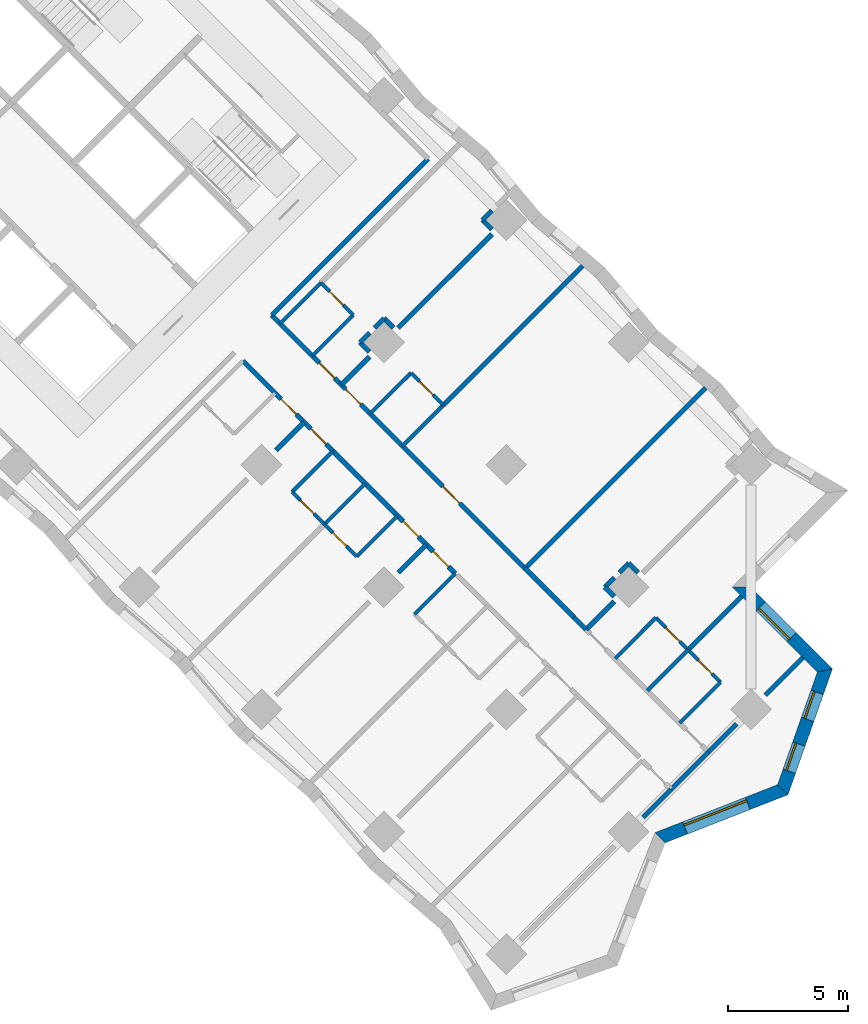
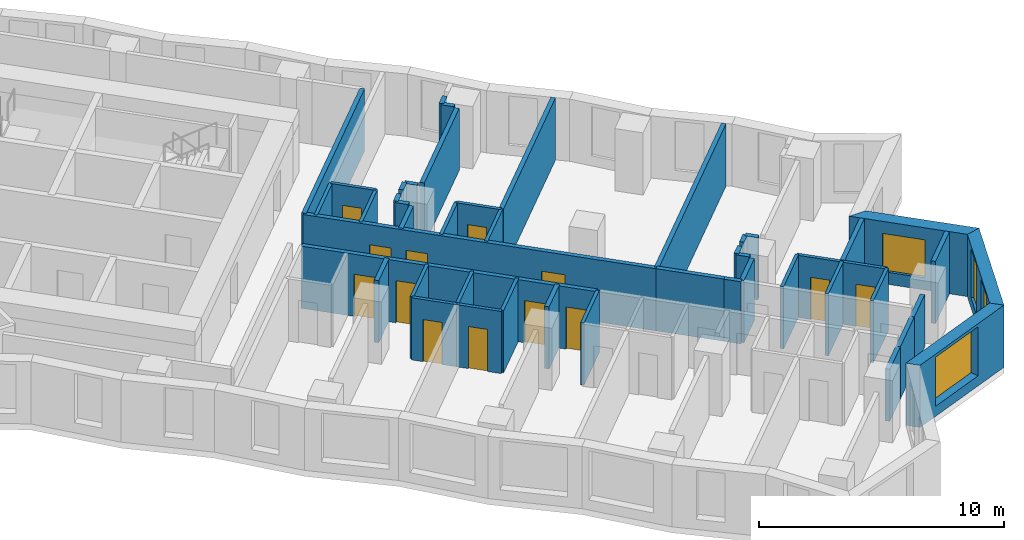
# One storey, part 9 of 15: 47 walls, 13 doors, 4 windows, 17 openings.
"""IFC4 building model written with IfcOpenShell, lengths in metres."""

from ifc_helpers import new_model, si_unit, direction, frame, frame_2d, origin, place, context, subcontext, project, spatial, polyline, rectangle, outline, extrude, material, layer, layer_set, type_object, element, fill, save


model = new_model("IFC4")

# Units and contexts
model_context = context("Model", 3, precision=1e-05, world=origin(), true_north=direction((0.0, 1.0)))
body_context = subcontext(model_context, "Body", "Model", "MODEL_VIEW")
ifc_project = project(units=[si_unit("LENGTHUNIT", "METRE"), si_unit("AREAUNIT", "SQUARE_METRE"), si_unit("VOLUMEUNIT", "CUBIC_METRE"), si_unit("PLANEANGLEUNIT", "RADIAN"), si_unit("MASSUNIT", "GRAM", prefix="KILO")], contexts=[model_context])

# Site, building, storey
site_placement = place(None, origin())
site = spatial("IfcSite", under=ifc_project, at=site_placement, CompositionType="ELEMENT")
building_placement = place(site_placement, origin())
building = spatial("IfcBuilding", under=site, at=building_placement, Name="Windrow Commons", CompositionType="ELEMENT")
storey_placement = place(building_placement, frame((0.0, 0.0, 27.0)))
storey = spatial("IfcBuildingStorey", under=building, at=storey_placement, Name="L06", CompositionType="ELEMENT", Elevation=27.0)

# Wall, opening, window
ifc_material_1 = material(Name="Brick masonry, red clay brick", Category="masonry")
ifc_layer_1 = layer(ifc_material_1, 0.55)
ifc_layer_set_1 = layer_set([ifc_layer_1], Name="Brick facade wall 550")
wall_type_1 = type_object("IfcWallType", Name="Brick facade wall 550", PredefinedType="SOLIDWALL", material=ifc_layer_set_1)
wall_1_placement = place(storey_placement, frame((111.055, 20.841, 0.0), z_axis=(0.0, 0.0, 1.0), x_axis=(0.9313442446, 0.3641399428, 0.0)))
wall_1 = element("IfcWall", 1, at=wall_1_placement, inside=storey, type_object=wall_type_1, Name="Brick facade wall L06 3", PredefinedType="SOLIDWALL", context=body_context, shape_type="SweptSolid", body=[
    extrude(outline(polyline([(0.1204, -0.275), (5.6059, -0.275), (5.3542, 0.275), (-0.1204, 0.275), (0.1204, -0.275)])), origin(), (0.0, 0.0, 1.0), 3.1),
])
opening_1_placement = place(wall_1_placement, frame((1.1179, 0.0, 0.5)))
opening_1 = element("IfcOpeningElement", 2, at=opening_1_placement, cuts=wall_1, Name="Opening W1T", PredefinedType="OPENING", context=body_context, shape_type="SweptSolid", body=[
    extrude(rectangle(XDim=2.8, YDim=2.45, at=frame_2d((1.4, 1.225))), frame((0.0, 0.285, 0.0), z_axis=(0.0, -1.0, 0.0), x_axis=(1.0, 0.0, 0.0)), (0.0, 0.0, 1.0), 0.57),
])
ifc_material_2 = material(Name="Clear float glass in anodised aluminium frame", Category="aluminium")
window_type_1 = type_object("IfcWindowType", Name="Window W1T bedroom 2800x2450", PartitioningType="SINGLE_PANEL", PredefinedType="WINDOW", material=ifc_material_2)
window_1_placement = place(opening_1_placement, origin())
window_1 = element("IfcWindow", 3, at=window_1_placement, inside=storey, type_object=window_type_1, Name="Window L06 3.1", OverallHeight=2.45, OverallWidth=2.8, PartitioningType="SINGLE_PANEL", PredefinedType="WINDOW", context=body_context, shape_type="SweptSolid", body=[
    extrude(rectangle(XDim=2.8, YDim=2.45, at=frame_2d((1.4, 1.225))), frame((0.0, 0.155, 0.0), z_axis=(0.0, -1.0, 0.0), x_axis=(1.0, 0.0, 0.0)), (0.0, 0.0, 1.0), 0.06),
])
fill(opening_1, window_1)

# Wall, openings, windows
wall_2_placement = place(storey_placement, frame((116.1588, 22.8365, 0.0), z_axis=(0.0, 0.0, 1.0), x_axis=(0.3333124239, 0.9428164339, 0.0)))
wall_2 = element("IfcWall", 4, at=wall_2_placement, inside=storey, type_object=wall_type_1, Name="Brick facade wall L06 4", PredefinedType="SOLIDWALL", context=body_context, shape_type="SweptSolid", body=[
    extrude(outline(polyline([(-0.1258, -0.275), (5.4429, -0.275), (5.0961, 0.275), (0.1258, 0.275), (-0.1258, -0.275)])), origin(), (0.0, 0.0, 1.0), 3.1),
])
opening_2_placement = place(wall_2_placement, frame((0.8163, 0.0, 0.5)))
opening_2 = element("IfcOpeningElement", 5, at=opening_2_placement, cuts=wall_2, Name="Opening W7D", PredefinedType="OPENING", context=body_context, shape_type="SweptSolid", body=[
    extrude(rectangle(XDim=1.2, YDim=2.45, at=frame_2d((0.6, 1.225))), frame((0.0, 0.285, 0.0), z_axis=(0.0, -1.0, 0.0), x_axis=(1.0, 0.0, 0.0)), (0.0, 0.0, 1.0), 0.57),
])
opening_3_placement = place(wall_2_placement, frame((3.1014, 0.0, 0.5)))
opening_3 = element("IfcOpeningElement", 6, at=opening_3_placement, cuts=wall_2, Name="Opening W7D", PredefinedType="OPENING", context=body_context, shape_type="SweptSolid", body=[
    extrude(rectangle(XDim=1.2, YDim=2.45, at=frame_2d((0.6, 1.225))), frame((0.0, 0.285, 0.0), z_axis=(0.0, -1.0, 0.0), x_axis=(1.0, 0.0, 0.0)), (0.0, 0.0, 1.0), 0.57),
])
ifc_material_3 = material(Name="Clear float glass in anodised aluminium frame", Category="aluminium")
window_type_2 = type_object("IfcWindowType", Name="Window W7 notch 1200x2450", PartitioningType="SINGLE_PANEL", PredefinedType="WINDOW", material=ifc_material_3)
window_2_placement = place(opening_2_placement, origin())
window_2 = element("IfcWindow", 7, at=window_2_placement, inside=storey, type_object=window_type_2, Name="Window L06 4.1", OverallHeight=2.45, OverallWidth=1.2, PartitioningType="SINGLE_PANEL", PredefinedType="WINDOW", context=body_context, shape_type="SweptSolid", body=[
    extrude(rectangle(XDim=1.2, YDim=2.45, at=frame_2d((0.6, 1.225))), frame((0.0, 0.155, 0.0), z_axis=(0.0, -1.0, 0.0), x_axis=(1.0, 0.0, 0.0)), (0.0, 0.0, 1.0), 0.06),
])
fill(opening_2, window_2)
window_3_placement = place(opening_3_placement, origin())
window_3 = element("IfcWindow", 8, at=window_3_placement, inside=storey, type_object=window_type_2, Name="Window L06 4.2", OverallHeight=2.45, OverallWidth=1.2, PartitioningType="SINGLE_PANEL", PredefinedType="WINDOW", context=body_context, shape_type="SweptSolid", body=[
    extrude(rectangle(XDim=1.2, YDim=2.45, at=frame_2d((0.6, 1.225))), frame((0.0, 0.155, 0.0), z_axis=(0.0, -1.0, 0.0), x_axis=(1.0, 0.0, 0.0)), (0.0, 0.0, 1.0), 0.06),
])
fill(opening_3, window_3)

# Wall, opening, window
wall_3_placement = place(storey_placement, frame((117.9152, 27.8047, 0.0), z_axis=(0.0, 0.0, 1.0), x_axis=(-0.7071067812, 0.7071067812, 0.0)))
wall_3 = element("IfcWall", 9, at=wall_3_placement, inside=storey, type_object=wall_type_1, Name="Brick facade wall L06 5", PredefinedType="SOLIDWALL", context=body_context, shape_type="SweptSolid", body=[
    extrude(outline(polyline([(-0.1734, -0.275), (4.6266, -0.275), (5.1766, 0.275), (0.1734, 0.275), (-0.1734, -0.275)])), origin(), (0.0, 0.0, 1.0), 3.1),
])
opening_4_placement = place(wall_3_placement, frame((1.9641, 0.0, 0.6)))
opening_4 = element("IfcOpeningElement", 10, at=opening_4_placement, cuts=wall_3, Name="Opening W1L", PredefinedType="OPENING", context=body_context, shape_type="SweptSolid", body=[
    extrude(rectangle(XDim=1.8, YDim=1.9, at=frame_2d((0.9, 0.95))), frame((0.0, 0.285, 0.0), z_axis=(0.0, -1.0, 0.0), x_axis=(1.0, 0.0, 0.0)), (0.0, 0.0, 1.0), 0.57),
])
ifc_material_4 = material(Name="Clear float glass in anodised aluminium frame", Category="aluminium")
window_type_3 = type_object("IfcWindowType", Name="Window W1L bedroom 1800x1900", PartitioningType="SINGLE_PANEL", PredefinedType="WINDOW", material=ifc_material_4)
window_4_placement = place(opening_4_placement, origin())
window_4 = element("IfcWindow", 11, at=window_4_placement, inside=storey, type_object=window_type_3, Name="Window L06 5.1", OverallHeight=1.9, OverallWidth=1.8, PartitioningType="SINGLE_PANEL", PredefinedType="WINDOW", context=body_context, shape_type="SweptSolid", body=[
    extrude(rectangle(XDim=1.8, YDim=1.9, at=frame_2d((0.9, 0.95))), frame((0.0, 0.155, 0.0), z_axis=(0.0, -1.0, 0.0), x_axis=(1.0, 0.0, 0.0)), (0.0, 0.0, 1.0), 0.06),
])
fill(opening_4, window_4)

# Wall, openings, doors
ifc_material_5 = material(Name="Blockwork partition", Category="masonry")
ifc_layer_2 = layer(ifc_material_5, 0.2)
ifc_layer_set_2 = layer_set([ifc_layer_2], Name="IW-CORRIDOR-200")
wall_type_2 = type_object("IfcWallType", Name="IW-CORRIDOR-200", PredefinedType="PARTITIONING", material=ifc_layer_set_2)
wall_4_placement = place(storey_placement, frame((94.8949, 42.5809, 0.0), z_axis=(0.0, 0.0, 1.0), x_axis=(0.7071067812, -0.7071067812, 0.0)))
wall_4 = element("IfcWall", 12, at=wall_4_placement, inside=storey, type_object=wall_type_2, Name="W-L06-W004", PredefinedType="PARTITIONING", context=body_context, shape_type="SweptSolid", body=[
    extrude(rectangle(XDim=14.9002, YDim=0.2, at=frame_2d((7.4501, 0.0))), origin(), (0.0, 0.0, 1.0), 3.1),
])
opening_5_placement = place(wall_4_placement, frame((2.7996, 0.0, 0.0)))
opening_5 = element("IfcOpeningElement", 13, at=opening_5_placement, cuts=wall_4, Name="Opening D109S", PredefinedType="OPENING", context=body_context, shape_type="SweptSolid", body=[
    extrude(rectangle(XDim=0.9, YDim=2.1, at=frame_2d((0.45, 1.05))), frame((0.0, 0.11, 0.0), z_axis=(0.0, -1.0, 0.0), x_axis=(1.0, 0.0, 0.0)), (0.0, 0.0, 1.0), 0.22),
])
opening_6_placement = place(wall_4_placement, frame((4.3479, 0.0, 0.0)))
opening_6 = element("IfcOpeningElement", 14, at=opening_6_placement, cuts=wall_4, Name="Opening D109S", PredefinedType="OPENING", context=body_context, shape_type="SweptSolid", body=[
    extrude(rectangle(XDim=0.9, YDim=2.1, at=frame_2d((0.45, 1.05))), frame((0.0, 0.11, 0.0), z_axis=(0.0, -1.0, 0.0), x_axis=(1.0, 0.0, 0.0)), (0.0, 0.0, 1.0), 0.22),
])
opening_7_placement = place(wall_4_placement, frame((10.0733, 0.0, 0.0)))
opening_7 = element("IfcOpeningElement", 15, at=opening_7_placement, cuts=wall_4, Name="Opening D310F", PredefinedType="OPENING", context=body_context, shape_type="SweptSolid", body=[
    extrude(rectangle(XDim=1.0, YDim=2.1, at=frame_2d((0.5, 1.05))), frame((0.0, 0.11, 0.0), z_axis=(0.0, -1.0, 0.0), x_axis=(1.0, 0.0, 0.0)), (0.0, 0.0, 1.0), 0.22),
])
ifc_material_6 = material(Name="Timber door leaf", Category="wood")
door_type_1 = type_object("IfcDoorType", Name="DT-AMENITY-1000", OperationType="SINGLE_SWING_LEFT", PredefinedType="DOOR", material=ifc_material_6)
door_1_placement = place(opening_7_placement, origin())
door_1 = element("IfcDoor", 16, at=door_1_placement, inside=storey, type_object=door_type_1, Name="D-L06-D054", OperationType="SINGLE_SWING_RIGHT", OverallHeight=2.1, OverallWidth=1.0, PredefinedType="DOOR", context=body_context, shape_type="SweptSolid", body=[
    extrude(rectangle(XDim=1.0, YDim=2.1, at=frame_2d((0.5, 1.05))), frame((0.0, 0.025, 0.0), z_axis=(0.0, -1.0, 0.0), x_axis=(1.0, 0.0, 0.0)), (0.0, 0.0, 1.0), 0.05),
])
fill(opening_7, door_1)
ifc_material_7 = material(Name="Timber door leaf", Category="wood")
door_type_2 = type_object("IfcDoorType", Name="DT-BEDROOM-900", OperationType="SINGLE_SWING_LEFT", PredefinedType="DOOR", material=ifc_material_7)
door_2_placement = place(opening_5_placement, origin())
door_2 = element("IfcDoor", 17, at=door_2_placement, inside=storey, type_object=door_type_2, Name="D-L06-D050", OperationType="SINGLE_SWING_RIGHT", OverallHeight=2.1, OverallWidth=0.9, PredefinedType="DOOR", context=body_context, shape_type="SweptSolid", body=[
    extrude(rectangle(XDim=0.9, YDim=2.1, at=frame_2d((0.45, 1.05))), frame((0.0, 0.025, 0.0), z_axis=(0.0, -1.0, 0.0), x_axis=(1.0, 0.0, 0.0)), (0.0, 0.0, 1.0), 0.05),
])
fill(opening_5, door_2)
door_3_placement = place(opening_6_placement, origin())
door_3 = element("IfcDoor", 18, at=door_3_placement, inside=storey, type_object=door_type_2, Name="D-L06-D052", OperationType="SINGLE_SWING_LEFT", OverallHeight=2.1, OverallWidth=0.9, PredefinedType="DOOR", context=body_context, shape_type="SweptSolid", body=[
    extrude(rectangle(XDim=0.9, YDim=2.1, at=frame_2d((0.45, 1.05))), frame((0.0, 0.025, 0.0), z_axis=(0.0, -1.0, 0.0), x_axis=(1.0, 0.0, 0.0)), (0.0, 0.0, 1.0), 0.05),
])
fill(opening_6, door_3)

# Wall
wall_5_placement = place(storey_placement, frame((94.9014, 42.5826, 0.0), z_axis=(0.0, 0.0, 1.0), x_axis=(0.7072154749, 0.7069980708, 0.0)))
element("IfcWall", 19, at=wall_5_placement, inside=storey, type_object=wall_type_2, Name="W-L06-W010", PredefinedType="PARTITIONING", context=body_context, shape_type="SweptSolid", body=[
    extrude(rectangle(XDim=9.1995, YDim=0.2, at=frame_2d((4.5998, 0.0))), origin(), (0.0, 0.0, 1.0), 3.1),
])

# Wall, openings, doors
wall_6_placement = place(storey_placement, frame((102.5312, 31.8332, 0.0), z_axis=(0.0, 0.0, 1.0), x_axis=(-0.7070095491, 0.7072039999, 0.0)))
wall_6 = element("IfcWall", 20, at=wall_6_placement, inside=storey, type_object=wall_type_2, Name="W-L06-W023", PredefinedType="PARTITIONING", context=body_context, shape_type="SweptSolid", body=[
    extrude(rectangle(XDim=7.1998, YDim=0.2, at=frame_2d((3.5999, 0.0))), origin(), (0.0, 0.0, 1.0), 3.1),
])
opening_8_placement = place(wall_6_placement, frame((2.1649, 0.0, 0.0)))
opening_8 = element("IfcOpeningElement", 21, at=opening_8_placement, cuts=wall_6, Name="Opening D109S", PredefinedType="OPENING", context=body_context, shape_type="SweptSolid", body=[
    extrude(rectangle(XDim=0.9, YDim=2.1, at=frame_2d((0.45, 1.05))), frame((0.0, 0.11, 0.0), z_axis=(0.0, -1.0, 0.0), x_axis=(1.0, 0.0, 0.0)), (0.0, 0.0, 1.0), 0.22),
])
opening_9_placement = place(wall_6_placement, frame((0.3999, 0.0, 0.0)))
opening_9 = element("IfcOpeningElement", 22, at=opening_9_placement, cuts=wall_6, Name="Opening D109S", PredefinedType="OPENING", context=body_context, shape_type="SweptSolid", body=[
    extrude(rectangle(XDim=0.9, YDim=2.1, at=frame_2d((0.45, 1.05))), frame((0.0, 0.11, 0.0), z_axis=(0.0, -1.0, 0.0), x_axis=(1.0, 0.0, 0.0)), (0.0, 0.0, 1.0), 0.22),
])
door_4_placement = place(opening_8_placement, origin())
door_4 = element("IfcDoor", 23, at=door_4_placement, inside=storey, type_object=door_type_2, Name="D-L06-D061", OperationType="SINGLE_SWING_LEFT", OverallHeight=2.1, OverallWidth=0.9, PredefinedType="DOOR", context=body_context, shape_type="SweptSolid", body=[
    extrude(rectangle(XDim=0.9, YDim=2.1, at=frame_2d((0.45, 1.05))), frame((0.0, 0.025, 0.0), z_axis=(0.0, -1.0, 0.0), x_axis=(1.0, 0.0, 0.0)), (0.0, 0.0, 1.0), 0.05),
])
fill(opening_8, door_4)
door_5_placement = place(opening_9_placement, origin())
door_5 = element("IfcDoor", 24, at=door_5_placement, inside=storey, type_object=door_type_2, Name="D-L06-D063", OperationType="SINGLE_SWING_RIGHT", OverallHeight=2.1, OverallWidth=0.9, PredefinedType="DOOR", context=body_context, shape_type="SweptSolid", body=[
    extrude(rectangle(XDim=0.9, YDim=2.1, at=frame_2d((0.45, 1.05))), frame((0.0, 0.025, 0.0), z_axis=(0.0, -1.0, 0.0), x_axis=(1.0, 0.0, 0.0)), (0.0, 0.0, 1.0), 0.05),
])
fill(opening_9, door_5)

wall_7_placement = place(storey_placement, frame((93.6993, 40.6793, 0.0), z_axis=(0.0, 0.0, 1.0), x_axis=(0.7071067812, -0.7071067812, 0.0)))
wall_7 = element("IfcWall", 25, at=wall_7_placement, inside=storey, type_object=wall_type_2, Name="W-L06-W047", PredefinedType="PARTITIONING", context=body_context, shape_type="SweptSolid", body=[
    extrude(rectangle(XDim=5.3005, YDim=0.2, at=frame_2d((2.6503, 0.0))), origin(), (0.0, 0.0, 1.0), 3.1),
])
opening_10_placement = place(wall_7_placement, frame((2.2416, 0.0, 0.0)))
opening_10 = element("IfcOpeningElement", 26, at=opening_10_placement, cuts=wall_7, Name="Opening D109S", PredefinedType="OPENING", context=body_context, shape_type="SweptSolid", body=[
    extrude(rectangle(XDim=0.9, YDim=2.1, at=frame_2d((0.45, 1.05))), frame((0.0, 0.11, 0.0), z_axis=(0.0, -1.0, 0.0), x_axis=(1.0, 0.0, 0.0)), (0.0, 0.0, 1.0), 0.22),
])
opening_11_placement = place(wall_7_placement, frame((4.0017, 0.0, 0.0)))
opening_11 = element("IfcOpeningElement", 27, at=opening_11_placement, cuts=wall_7, Name="Opening D109S", PredefinedType="OPENING", context=body_context, shape_type="SweptSolid", body=[
    extrude(rectangle(XDim=0.9, YDim=2.1, at=frame_2d((0.45, 1.05))), frame((0.0, 0.11, 0.0), z_axis=(0.0, -1.0, 0.0), x_axis=(1.0, 0.0, 0.0)), (0.0, 0.0, 1.0), 0.22),
])
door_6_placement = place(opening_10_placement, origin())
door_6 = element("IfcDoor", 28, at=door_6_placement, inside=storey, type_object=door_type_2, Name="D-L06-D057", OperationType="SINGLE_SWING_LEFT", OverallHeight=2.1, OverallWidth=0.9, PredefinedType="DOOR", context=body_context, shape_type="SweptSolid", body=[
    extrude(rectangle(XDim=0.9, YDim=2.1, at=frame_2d((0.45, 1.05))), frame((0.0, 0.025, 0.0), z_axis=(0.0, -1.0, 0.0), x_axis=(1.0, 0.0, 0.0)), (0.0, 0.0, 1.0), 0.05),
])
fill(opening_10, door_6)
door_7_placement = place(opening_11_placement, origin())
door_7 = element("IfcDoor", 29, at=door_7_placement, inside=storey, type_object=door_type_2, Name="D-L06-D059", OperationType="SINGLE_SWING_RIGHT", OverallHeight=2.1, OverallWidth=0.9, PredefinedType="DOOR", context=body_context, shape_type="SweptSolid", body=[
    extrude(rectangle(XDim=0.9, YDim=2.1, at=frame_2d((0.45, 1.05))), frame((0.0, 0.025, 0.0), z_axis=(0.0, -1.0, 0.0), x_axis=(1.0, 0.0, 0.0)), (0.0, 0.0, 1.0), 0.05),
])
fill(opening_11, door_7)

# Walls
wall_8_placement = place(storey_placement, frame((105.4348, 32.0488, 0.0), z_axis=(0.0, 0.0, 1.0), x_axis=(0.7074545101, -0.7067588812, 0.0)))
element("IfcWall", 30, at=wall_8_placement, inside=storey, type_object=wall_type_2, Name="W-L06-W071", PredefinedType="PARTITIONING", context=body_context, shape_type="SweptSolid", body=[
    extrude(rectangle(XDim=2.8751, YDim=0.2, at=frame_2d((1.4376, 0.0))), origin(), (0.0, 0.0, 1.0), 3.1),
])
wall_9_placement = place(storey_placement, frame((111.5135, 22.8565, 0.0), z_axis=(0.0, 0.0, 1.0), x_axis=(0.7071067812, 0.7071067812, 0.0)))
element("IfcWall", 31, at=wall_9_placement, inside=storey, type_object=wall_type_2, Name="W-L06-W127", PredefinedType="PARTITIONING", context=body_context, shape_type="SweptSolid", body=[
    extrude(rectangle(XDim=2.2005, YDim=0.2, at=frame_2d((1.1002, 0.0))), origin(), (0.0, 0.0, 1.0), 2.6),
])
wall_10_placement = place(storey_placement, frame((107.4663, 30.0143, 0.0), z_axis=(0.0, 0.0, 1.0), x_axis=(0.7057270646, -0.7084838109, 0.0)))
element("IfcWall", 32, at=wall_10_placement, inside=storey, type_object=wall_type_2, Name="W-L06-W189", PredefinedType="PARTITIONING", context=body_context, shape_type="SweptSolid", body=[
    extrude(rectangle(XDim=0.7255, YDim=0.2, at=frame_2d((0.3628, 0.0))), origin(), (0.0, 0.0, 1.0), 3.1),
])

# Wall, openings, doors
ifc_material_8 = material(Name="Blockwork partition", Category="masonry")
ifc_layer_3 = layer(ifc_material_8, 0.15)
ifc_layer_set_3 = layer_set([ifc_layer_3], Name="IW-ENSUITE-150")
wall_type_3 = type_object("IfcWallType", Name="IW-ENSUITE-150", PredefinedType="PARTITIONING", material=ifc_layer_set_3)
wall_11_placement = place(storey_placement, frame((110.8749, 29.9949, 0.0), z_axis=(0.0, 0.0, 1.0), x_axis=(0.7071067812, -0.7071067812, 0.0)))
wall_11 = element("IfcWall", 33, at=wall_11_placement, inside=storey, type_object=wall_type_3, Name="W-L06-W059", PredefinedType="PARTITIONING", context=body_context, shape_type="SweptSolid", body=[
    extrude(rectangle(XDim=3.8014, YDim=0.15, at=frame_2d((1.9007, 0.0))), origin(), (0.0, 0.0, 1.0), 3.1),
])
opening_12_placement = place(wall_11_placement, frame((0.5983, 0.0, 0.0)))
opening_12 = element("IfcOpeningElement", 34, at=opening_12_placement, cuts=wall_11, Name="Opening D208N", PredefinedType="OPENING", context=body_context, shape_type="SweptSolid", body=[
    extrude(rectangle(XDim=0.8, YDim=2.1, at=frame_2d((0.4, 1.05))), frame((0.0, 0.085, 0.0), z_axis=(0.0, -1.0, 0.0), x_axis=(1.0, 0.0, 0.0)), (0.0, 0.0, 1.0), 0.17),
])
opening_13_placement = place(wall_11_placement, frame((2.5073, 0.0, 0.0)))
opening_13 = element("IfcOpeningElement", 35, at=opening_13_placement, cuts=wall_11, Name="Opening D208N", PredefinedType="OPENING", context=body_context, shape_type="SweptSolid", body=[
    extrude(rectangle(XDim=0.8, YDim=2.1, at=frame_2d((0.4, 1.05))), frame((0.0, 0.085, 0.0), z_axis=(0.0, -1.0, 0.0), x_axis=(1.0, 0.0, 0.0)), (0.0, 0.0, 1.0), 0.17),
])
ifc_material_9 = material(Name="Timber door leaf", Category="wood")
door_type_3 = type_object("IfcDoorType", Name="DT-ENSUITE-800", OperationType="SINGLE_SWING_LEFT", PredefinedType="DOOR", material=ifc_material_9)
door_8_placement = place(opening_12_placement, origin())
door_8 = element("IfcDoor", 36, at=door_8_placement, inside=storey, type_object=door_type_3, Name="D-L06-D056", OperationType="SINGLE_SWING_RIGHT", OverallHeight=2.1, OverallWidth=0.8, PredefinedType="DOOR", context=body_context, shape_type="SweptSolid", body=[
    extrude(rectangle(XDim=0.8, YDim=2.1, at=frame_2d((0.4, 1.05))), frame((0.0, 0.025, 0.0), z_axis=(0.0, -1.0, 0.0), x_axis=(1.0, 0.0, 0.0)), (0.0, 0.0, 1.0), 0.05),
])
fill(opening_12, door_8)
door_9_placement = place(opening_13_placement, origin())
door_9 = element("IfcDoor", 37, at=door_9_placement, inside=storey, type_object=door_type_3, Name="D-L06-D072", OperationType="SINGLE_SWING_RIGHT", OverallHeight=2.1, OverallWidth=0.8, PredefinedType="DOOR", context=body_context, shape_type="SweptSolid", body=[
    extrude(rectangle(XDim=0.8, YDim=2.1, at=frame_2d((0.4, 1.05))), frame((0.0, 0.025, 0.0), z_axis=(0.0, -1.0, 0.0), x_axis=(1.0, 0.0, 0.0)), (0.0, 0.0, 1.0), 0.05),
])
fill(opening_13, door_9)

# Walls
wall_12_placement = place(storey_placement, frame((95.7451, 35.2309, 0.0), z_axis=(0.0, 0.0, 1.0), x_axis=(0.7071067812, 0.7071067812, 0.0)))
element("IfcWall", 38, at=wall_12_placement, inside=storey, type_object=wall_type_3, Name="W-L06-W079", PredefinedType="PARTITIONING", context=body_context, shape_type="SweptSolid", body=[
    extrude(rectangle(XDim=2.4013, YDim=0.15, at=frame_2d((1.2006, 0.0))), origin(), (0.0, 0.0, 1.0), 3.1),
])
for number, where, z_axis, x_axis, name in (
    (39, (100.3397, 37.1423, 0.0), (0.0, 0.0, 1.0), (0.7075233388, 0.706689978, 0.0), "W-L06-W115"),
    (40, (96.592, 40.89, 0.0), (0.0, 0.0, 1.0), (0.7075233388, 0.706689978, 0.0), "W-L06-W116"),
    (41, (98.9962, 38.4858, 0.0), (0.0, 0.0, 1.0), (0.7075233388, 0.706689978, 0.0), "W-L06-W117"),
    (42, (109.1824, 28.2996, 0.0), (0.0, 0.0, 1.0), (0.706689978, 0.7075233388, 0.0), "W-L06-W118"),
    (43, (111.8655, 25.6165, 0.0), (0.0, 0.0, 1.0), (0.7075233388, 0.706689978, 0.0), "W-L06-W119"),
    (44, (95.2524, 42.2296, 0.0), (0.0, 0.0, 1.0), (0.706689978, 0.7075233388, 0.0), "W-L06-W120"),
    (45, (97.0924, 33.8836, 0.0), (0.0, 0.0, 1.0), (0.706689978, 0.7075233388, 0.0), "W-L06-W121"),
    (46, (110.522, 26.96, 0.0), (0.0, 0.0, 1.0), (0.7075233388, 0.706689978, 0.0), "W-L06-W122"),
):
    element("IfcWall", number, at=place(storey_placement, frame(where, z_axis=z_axis, x_axis=x_axis)), inside=storey, type_object=wall_type_3, Name=name, PredefinedType="PARTITIONING", context=body_context, shape_type="SweptSolid", body=[
        extrude(rectangle(XDim=2.3999, YDim=0.15, at=frame_2d((1.2, 0.0))), origin(), (0.0, 0.0, 1.0), 3.1),
    ])
for number, where, z_axis, x_axis, name in (
    (47, (100.8373, 30.1407, 0.0), (0.0, 0.0, 1.0), (0.7071067812, 0.7071067812, 0.0), "W-L06-W123"),
    (48, (98.4331, 32.5449, 0.0), (0.0, 0.0, 1.0), (0.7071067812, 0.7071067812, 0.0), "W-L06-W125"),
):
    element("IfcWall", number, at=place(storey_placement, frame(where, z_axis=z_axis, x_axis=x_axis)), inside=storey, type_object=wall_type_3, Name=name, PredefinedType="PARTITIONING", context=body_context, shape_type="SweptSolid", body=[
        extrude(rectangle(XDim=2.3985, YDim=0.15, at=frame_2d((1.1992, 0.0))), origin(), (0.0, 0.0, 1.0), 3.1),
    ])

# Wall, opening, door
wall_13_placement = place(storey_placement, frame((96.9449, 43.9249, 0.0), z_axis=(0.0, 0.0, 1.0), x_axis=(0.7071067812, -0.7071067812, 0.0)))
wall_13 = element("IfcWall", 49, at=wall_13_placement, inside=storey, type_object=wall_type_3, Name="W-L06-W134", PredefinedType="PARTITIONING", context=body_context, shape_type="SweptSolid", body=[
    extrude(rectangle(XDim=1.9007, YDim=0.15, at=frame_2d((0.9504, 0.0))), origin(), (0.0, 0.0, 1.0), 3.1),
])
opening_14_placement = place(wall_13_placement, frame((0.5053, 0.0, 0.0)))
opening_14 = element("IfcOpeningElement", 50, at=opening_14_placement, cuts=wall_13, Name="Opening D208N", PredefinedType="OPENING", context=body_context, shape_type="SweptSolid", body=[
    extrude(rectangle(XDim=0.8, YDim=2.1, at=frame_2d((0.4, 1.05))), frame((0.0, 0.085, 0.0), z_axis=(0.0, -1.0, 0.0), x_axis=(1.0, 0.0, 0.0)), (0.0, 0.0, 1.0), 0.17),
])
door_10_placement = place(opening_14_placement, origin())
door_10 = element("IfcDoor", 51, at=door_10_placement, inside=storey, type_object=door_type_3, Name="D-L06-D051", OperationType="SINGLE_SWING_RIGHT", OverallHeight=2.1, OverallWidth=0.8, PredefinedType="DOOR", context=body_context, shape_type="SweptSolid", body=[
    extrude(rectangle(XDim=0.8, YDim=2.1, at=frame_2d((0.4, 1.05))), frame((0.0, 0.025, 0.0), z_axis=(0.0, -1.0, 0.0), x_axis=(1.0, 0.0, 0.0)), (0.0, 0.0, 1.0), 0.05),
])
fill(opening_14, door_10)

wall_14_placement = place(storey_placement, frame((100.6929, 40.1769, 0.0), z_axis=(0.0, 0.0, 1.0), x_axis=(0.7071067812, -0.7071067812, 0.0)))
wall_14 = element("IfcWall", 52, at=wall_14_placement, inside=storey, type_object=wall_type_3, Name="W-L06-W135", PredefinedType="PARTITIONING", context=body_context, shape_type="SweptSolid", body=[
    extrude(rectangle(XDim=1.9007, YDim=0.15, at=frame_2d((0.9504, 0.0))), origin(), (0.0, 0.0, 1.0), 3.1),
])
opening_15_placement = place(wall_14_placement, frame((0.493, 0.0, 0.0)))
opening_15 = element("IfcOpeningElement", 53, at=opening_15_placement, cuts=wall_14, Name="Opening D208N", PredefinedType="OPENING", context=body_context, shape_type="SweptSolid", body=[
    extrude(rectangle(XDim=0.8, YDim=2.1, at=frame_2d((0.4, 1.05))), frame((0.0, 0.085, 0.0), z_axis=(0.0, -1.0, 0.0), x_axis=(1.0, 0.0, 0.0)), (0.0, 0.0, 1.0), 0.17),
])
door_11_placement = place(opening_15_placement, origin())
door_11 = element("IfcDoor", 54, at=door_11_placement, inside=storey, type_object=door_type_3, Name="D-L06-D053", OperationType="SINGLE_SWING_RIGHT", OverallHeight=2.1, OverallWidth=0.8, PredefinedType="DOOR", context=body_context, shape_type="SweptSolid", body=[
    extrude(rectangle(XDim=0.8, YDim=2.1, at=frame_2d((0.4, 1.05))), frame((0.0, 0.025, 0.0), z_axis=(0.0, -1.0, 0.0), x_axis=(1.0, 0.0, 0.0)), (0.0, 0.0, 1.0), 0.05),
])
fill(opening_15, door_11)

wall_15_placement = place(storey_placement, frame((95.7432, 35.2272, 0.0), z_axis=(0.0, 0.0, 1.0), x_axis=(0.7071067812, -0.7071067812, 0.0)))
wall_15 = element("IfcWall", 55, at=wall_15_placement, inside=storey, type_object=wall_type_3, Name="W-L06-W137", PredefinedType="PARTITIONING", context=body_context, shape_type="SweptSolid", body=[
    extrude(rectangle(XDim=1.9007, YDim=0.15, at=frame_2d((0.9504, 0.0))), origin(), (0.0, 0.0, 1.0), 3.1),
])
opening_16_placement = place(wall_15_placement, frame((0.4911, 0.0, 0.0)))
opening_16 = element("IfcOpeningElement", 56, at=opening_16_placement, cuts=wall_15, Name="Opening D208N", PredefinedType="OPENING", context=body_context, shape_type="SweptSolid", body=[
    extrude(rectangle(XDim=0.8, YDim=2.1, at=frame_2d((0.4, 1.05))), frame((0.0, 0.085, 0.0), z_axis=(0.0, -1.0, 0.0), x_axis=(1.0, 0.0, 0.0)), (0.0, 0.0, 1.0), 0.17),
])
door_12_placement = place(opening_16_placement, origin())
door_12 = element("IfcDoor", 57, at=door_12_placement, inside=storey, type_object=door_type_3, Name="D-L06-D060", OperationType="SINGLE_SWING_RIGHT", OverallHeight=2.1, OverallWidth=0.8, PredefinedType="DOOR", context=body_context, shape_type="SweptSolid", body=[
    extrude(rectangle(XDim=0.8, YDim=2.1, at=frame_2d((0.4, 1.05))), frame((0.0, 0.025, 0.0), z_axis=(0.0, -1.0, 0.0), x_axis=(1.0, 0.0, 0.0)), (0.0, 0.0, 1.0), 0.05),
])
fill(opening_16, door_12)

wall_16_placement = place(storey_placement, frame((97.0895, 33.8855, 0.0), z_axis=(0.0, 0.0, 1.0), x_axis=(0.7076330979, -0.7065800724, 0.0)))
wall_16 = element("IfcWall", 58, at=wall_16_placement, inside=storey, type_object=wall_type_3, Name="W-L06-W156", PredefinedType="PARTITIONING", context=body_context, shape_type="SweptSolid", body=[
    extrude(rectangle(XDim=1.8993, YDim=0.15, at=frame_2d((0.9496, 0.0))), origin(), (0.0, 0.0, 1.0), 3.1),
])
opening_17_placement = place(wall_16_placement, frame((0.5045, 0.0, 0.0)))
opening_17 = element("IfcOpeningElement", 59, at=opening_17_placement, cuts=wall_16, Name="Opening D208N", PredefinedType="OPENING", context=body_context, shape_type="SweptSolid", body=[
    extrude(rectangle(XDim=0.8, YDim=2.1, at=frame_2d((0.4, 1.05))), frame((0.0, 0.085, 0.0), z_axis=(0.0, -1.0, 0.0), x_axis=(1.0, 0.0, 0.0)), (0.0, 0.0, 1.0), 0.17),
])
door_13_placement = place(opening_17_placement, origin())
door_13 = element("IfcDoor", 60, at=door_13_placement, inside=storey, type_object=door_type_3, Name="D-L06-D062", OperationType="SINGLE_SWING_RIGHT", OverallHeight=2.1, OverallWidth=0.8, PredefinedType="DOOR", context=body_context, shape_type="SweptSolid", body=[
    extrude(rectangle(XDim=0.8, YDim=2.1, at=frame_2d((0.4, 1.05))), frame((0.0, 0.025, 0.0), z_axis=(0.0, -1.0, 0.0), x_axis=(1.0, 0.0, 0.0)), (0.0, 0.0, 1.0), 0.05),
])
fill(opening_17, door_13)

# Walls
ifc_material_10 = material(Name="Blockwork partition", Category="masonry")
ifc_layer_4 = layer(ifc_material_10, 0.2)
ifc_layer_set_4 = layer_set([ifc_layer_4], Name="IW-PARTY-200")
wall_type_4 = type_object("IfcWallType", Name="IW-PARTY-200", PredefinedType="PARTITIONING", material=ifc_layer_set_4)
wall_17_placement = place(storey_placement, frame((105.4374, 32.0446, 0.0), z_axis=(0.0, 0.0, 1.0), x_axis=(0.7070125995, 0.7072009503, 0.0)))
element("IfcWall", 61, at=wall_17_placement, inside=storey, type_object=wall_type_4, Name="W-L06-W007", PredefinedType="PARTITIONING", context=body_context, shape_type="SweptSolid", body=[
    extrude(rectangle(XDim=10.6185, YDim=0.2, at=frame_2d((5.3092, 0.0))), origin(), (0.0, 0.0, 1.0), 3.1),
])
wall_18_placement = place(storey_placement, frame((102.0386, 38.8374, 0.0), z_axis=(0.0, 0.0, 1.0), x_axis=(0.7071067812, 0.7071067812, 0.0)))
element("IfcWall", 62, at=wall_18_placement, inside=storey, type_object=wall_type_4, Name="W-L06-W013", PredefinedType="PARTITIONING", context=body_context, shape_type="SweptSolid", body=[
    extrude(rectangle(XDim=8.1883, YDim=0.2, at=frame_2d((4.0941, 0.0))), origin(), (0.0, 0.0, 1.0), 3.1),
])
wall_19_placement = place(storey_placement, frame((100.1611, 42.0569, 0.0), z_axis=(0.0, 0.0, 1.0), x_axis=(0.7072884866, 0.706925029, 0.0)))
element("IfcWall", 63, at=wall_19_placement, inside=storey, type_object=wall_type_4, Name="W-L06-W045", PredefinedType="PARTITIONING", context=body_context, shape_type="SweptSolid", body=[
    extrude(rectangle(XDim=5.5027, YDim=0.2, at=frame_2d((2.7513, 0.0))), origin(), (0.0, 0.0, 1.0), 3.1),
])
wall_20_placement = place(storey_placement, frame((112.2209, 28.6551, 0.0), z_axis=(0.0, 0.0, 1.0), x_axis=(0.7071067812, 0.7071067812, 0.0)))
element("IfcWall", 64, at=wall_20_placement, inside=storey, type_object=wall_type_4, Name="W-L06-W069", PredefinedType="PARTITIONING", context=body_context, shape_type="SweptSolid", body=[
    extrude(rectangle(XDim=3.1502, YDim=0.2, at=frame_2d((1.5751, 0.0))), origin(), (0.0, 0.0, 1.0), 3.1),
])
wall_21_placement = place(storey_placement, frame((115.4375, 26.7805, 0.0), z_axis=(0.0, 0.0, 1.0), x_axis=(0.7071067812, 0.7071067812, 0.0)))
element("IfcWall", 65, at=wall_21_placement, inside=storey, type_object=wall_type_4, Name="W-L06-W131", PredefinedType="PARTITIONING", context=body_context, shape_type="SweptSolid", body=[
    extrude(rectangle(XDim=2.2012, YDim=0.2, at=frame_2d((1.1006, 0.0))), origin(), (0.0, 0.0, 1.0), 3.1),
])
wall_22_placement = place(storey_placement, frame((100.1632, 31.8708, 0.0), z_axis=(0.0, 0.0, 1.0), x_axis=(0.7071067812, 0.7071067812, 0.0)))
element("IfcWall", 66, at=wall_22_placement, inside=storey, type_object=wall_type_4, Name="W-L06-W167", PredefinedType="PARTITIONING", context=body_context, shape_type="SweptSolid", body=[
    extrude(rectangle(XDim=1.6518, YDim=0.2, at=frame_2d((0.8259, 0.0))), origin(), (0.0, 0.0, 1.0), 3.1),
])
for number, where, z_axis, x_axis, name in (
    (67, (110.3455, 21.6885, 0.0), (0.0, 0.0, 1.0), (0.7071067812, 0.7071067812, 0.0), "W-L06-W168"),
    (68, (113.0695, 24.4125, 0.0), (0.0, 0.0, 1.0), (0.7071067812, 0.7071067812, 0.0), "W-L06-W169"),
):
    element("IfcWall", number, at=place(storey_placement, frame(where, z_axis=z_axis, x_axis=x_axis)), inside=storey, type_object=wall_type_4, Name=name, PredefinedType="PARTITIONING", context=body_context, shape_type="SweptSolid", body=[
        extrude(rectangle(XDim=1.6518, YDim=0.2, at=frame_2d((0.8259, 0.0))), origin(), (0.0, 0.0, 1.0), 2.6),
    ])
for number, where, z_axis, x_axis, name in (
    (69, (97.796, 39.686, 0.0), (0.0, 0.0, 1.0), (0.7071067812, 0.7071067812, 0.0), "W-L06-W170"),
    (70, (95.073, 36.963, 0.0), (0.0, 0.0, 1.0), (0.7071067812, 0.7071067812, 0.0), "W-L06-W171"),
    (71, (107.9784, 29.5036, 0.0), (0.0, 0.0, 1.0), (0.7071067812, 0.7071067812, 0.0), "W-L06-W172"),
):
    element("IfcWall", number, at=place(storey_placement, frame(where, z_axis=z_axis, x_axis=x_axis)), inside=storey, type_object=wall_type_4, Name=name, PredefinedType="PARTITIONING", context=body_context, shape_type="SweptSolid", body=[
        extrude(rectangle(XDim=1.6518, YDim=0.2, at=frame_2d((0.8259, 0.0))), origin(), (0.0, 0.0, 1.0), 3.1),
    ])
for number, where, z_axis, x_axis, name in (
    (72, (108.7536, 31.2676, 0.0), (0.0, 0.0, 1.0), (0.7071067812, -0.7071067812, 0.0), "W-L06-W197"),
    (73, (109.7507, 32.2647, 0.0), (0.0, 0.0, 1.0), (0.7071067812, -0.7071067812, 0.0), "W-L06-W198"),
    (74, (109.3554, 31.8706, 0.0), (0.0, 0.0, 1.0), (0.7071067812, 0.7071067812, 0.0), "W-L06-W199"),
    (75, (108.7534, 31.2686, 0.0), (0.0, 0.0, 1.0), (0.7071067812, 0.7071067812, 0.0), "W-L06-W200"),
    (76, (103.661, 46.541, 0.0), (0.0, 0.0, 1.0), (0.7071067812, 0.7071067812, 0.0), "W-L06-W201"),
):
    element("IfcWall", number, at=place(storey_placement, frame(where, z_axis=z_axis, x_axis=x_axis)), inside=storey, type_object=wall_type_4, Name=name, PredefinedType="PARTITIONING", context=body_context, shape_type="SweptSolid", body=[
        extrude(rectangle(XDim=0.5572, YDim=0.2, at=frame_2d((0.2786, 0.0))), origin(), (0.0, 0.0, 1.0), 3.1),
    ])
for number, where, z_axis, x_axis, name in (
    (77, (98.5699, 41.4479, 0.0), (0.0, 0.0, 1.0), (0.705305244, -0.7089037401, 0.0), "W-L06-W202"),
    (78, (99.5708, 42.4489, 0.0), (0.0, 0.0, 1.0), (0.7089037401, -0.705305244, 0.0), "W-L06-W203"),
    (79, (103.665, 46.543, 0.0), (0.0, 0.0, 1.0), (0.7089037401, -0.705305244, 0.0), "W-L06-W204"),
):
    element("IfcWall", number, at=place(storey_placement, frame(where, z_axis=z_axis, x_axis=x_axis)), inside=storey, type_object=wall_type_4, Name=name, PredefinedType="PARTITIONING", context=body_context, shape_type="SweptSolid", body=[
        extrude(rectangle(XDim=0.5558, YDim=0.2, at=frame_2d((0.2779, 0.0))), origin(), (0.0, 0.0, 1.0), 3.1),
    ])
for number, where, z_axis, x_axis, name in (
    (80, (98.571, 41.451, 0.0), (0.0, 0.0, 1.0), (0.7071067812, 0.7071067812, 0.0), "W-L06-W206"),
    (81, (99.175, 42.055, 0.0), (0.0, 0.0, 1.0), (0.7071067812, 0.7071067812, 0.0), "W-L06-W207"),
):
    element("IfcWall", number, at=place(storey_placement, frame(where, z_axis=z_axis, x_axis=x_axis)), inside=storey, type_object=wall_type_4, Name=name, PredefinedType="PARTITIONING", context=body_context, shape_type="SweptSolid", body=[
        extrude(rectangle(XDim=0.5544, YDim=0.2, at=frame_2d((0.2772, 0.0))), origin(), (0.0, 0.0, 1.0), 3.1),
    ])

save(model, "model.ifc")
